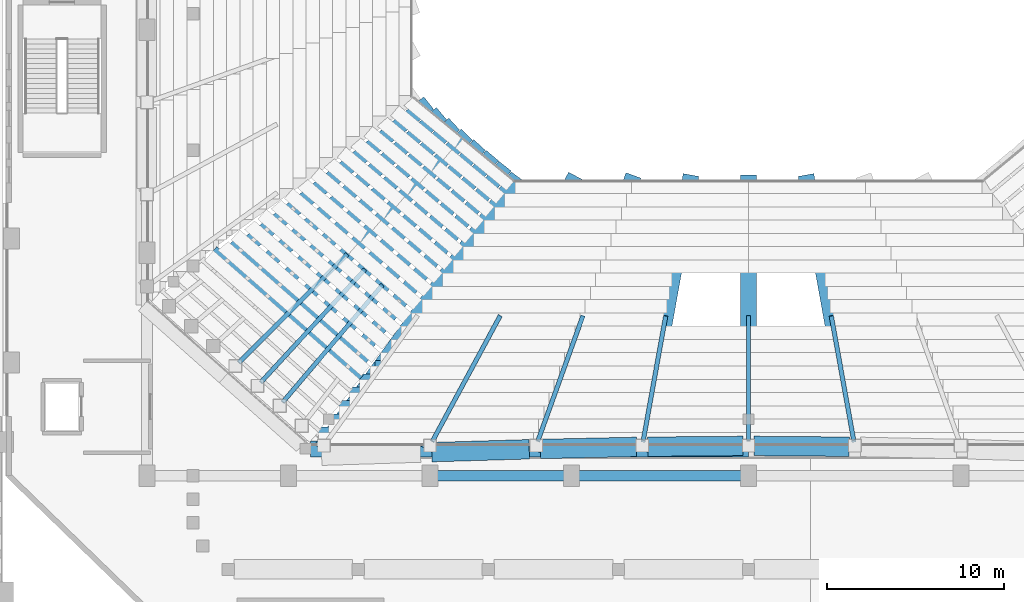
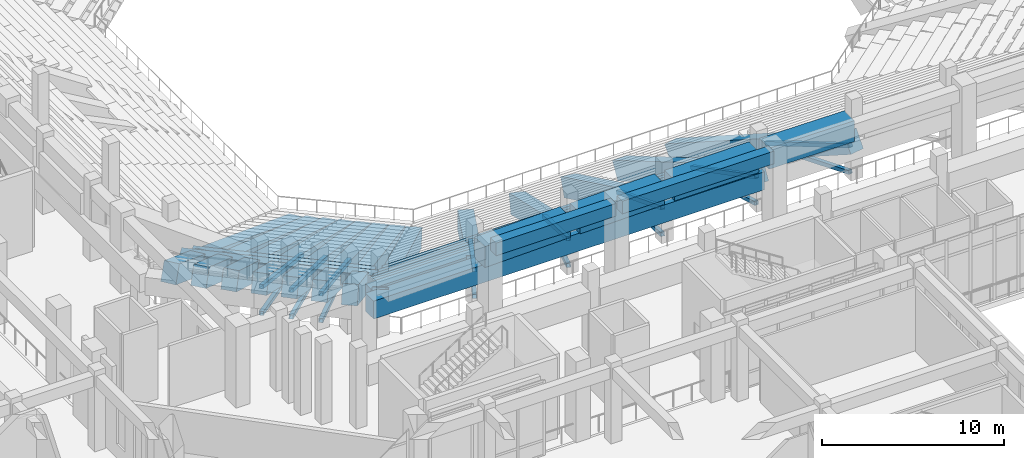
# One storey, part 31 of 159: 28 beams, 16 members.
"""IFC4 building model written with IfcOpenShell, lengths in metres."""

from ifc_helpers import new_model, si_unit, derived_unit, direction, frame, origin, origin_2d, place, context, subcontext, project, spatial, rectangle, hollow_rectangle, extrude, material, material_profile, profile_set, type_object, element, save


model = new_model("IFC4")

# Units and contexts
model_context = context("Model", 3, precision=1e-05, world=origin(), true_north=direction((0.0, 1.0)))
body_context = subcontext(model_context, "Body", "Model", "MODEL_VIEW")
ifc_project = project(units=[si_unit("LENGTHUNIT", "METRE"), si_unit("AREAUNIT", "SQUARE_METRE"), si_unit("VOLUMEUNIT", "CUBIC_METRE"), si_unit("PLANEANGLEUNIT", "RADIAN"), si_unit("MASSUNIT", "GRAM", prefix="KILO"), derived_unit("THERMALTRANSMITTANCEUNIT", [(si_unit("MASSUNIT", "GRAM", prefix="KILO"), 1), (si_unit("TIMEUNIT", "SECOND"), -3), (si_unit("THERMODYNAMICTEMPERATUREUNIT", "KELVIN"), -1)])], contexts=[model_context])

# Site, building, storey
site_placement = place(None, origin())
site = spatial("IfcSite", under=ifc_project, at=site_placement, CompositionType="ELEMENT")
building_placement = place(site_placement, origin())
building = spatial("IfcBuilding", under=site, at=building_placement, Name="Valcora Ridge Arena", CompositionType="ELEMENT")
storey_placement = place(building_placement, frame((0.0, 0.0, 6.0)))
storey = spatial("IfcBuildingStorey", under=building, at=storey_placement, Name="L01", CompositionType="ELEMENT", Elevation=6.0)

# Beams
ifc_material_1 = material(Name="Concrete C40/50", Category="concrete")
ifc_material_profile_1 = material_profile(ifc_material_1, rectangle(XDim=0.60009765625, YDim=0.85009765625, at=origin_2d()), Name="RC 600x850")
ifc_profile_set_1 = profile_set([ifc_material_profile_1], Name="Concrete C40/50")
beam_type_1 = type_object("IfcBeamType", Name="TY-BEAM-B-RC600-X", PredefinedType="BEAM", material=ifc_profile_set_1)
beam_1_placement = place(storey_placement, frame((36.889892578125, 38.800048828125, 0.135009765625), z_axis=(1.0, 0.0, 0.0), x_axis=(0.0, 1.0, 0.0)))
element("IfcBeam", 1, at=beam_1_placement, inside=storey, type_object=beam_type_1, Name="B-RC600-X BEM-R2-B-RC600-X-0157", PredefinedType="BEAM", context=body_context, shape_type="SweptSolid", body=[
    extrude(rectangle(XDim=0.60009765625, YDim=0.85009765625, at=origin_2d()), origin(), (0.0, 0.0, 1.0), 21.110107421875),
])
beam_2_placement = place(storey_placement, frame((28.71044921875, 45.725341796875, 0.135009765625), z_axis=(0.751952198768, -0.659217635359, 0.0), x_axis=(0.659217635359, 0.751952198768, 0.0)))
element("IfcBeam", 2, at=beam_2_placement, inside=storey, type_object=beam_type_1, Name="B-RC600-X BEM-R2-B-RC600-X-0168", PredefinedType="BEAM", context=body_context, shape_type="SweptSolid", body=[
    extrude(rectangle(XDim=0.60009765625, YDim=0.85009765625, at=origin_2d()), origin(), (0.0, 0.0, 1.0), 10.225341796875),
])
beam_3_placement = place(storey_placement, frame((36.02490234375, 38.050048828125, 0.574951171875), z_axis=(1.0, 0.0, 0.0), x_axis=(0.0, 1.0, 0.0)))
element("IfcBeam", 3, at=beam_3_placement, inside=storey, type_object=beam_type_1, Name="B-RC600-X BEM-R2-B-RC600-X-0169", PredefinedType="BEAM", context=body_context, shape_type="SweptSolid", body=[
    extrude(rectangle(XDim=0.60009765625, YDim=0.85009765625, at=origin_2d()), origin(), (0.0, 0.0, 1.0), 21.97509765625),
])
beam_4_placement = place(storey_placement, frame((27.75, 45.324951171875, 0.574951171875), z_axis=(0.751029040329, -0.660269172825, 0.0), x_axis=(0.660269172825, 0.751029040329, 0.0)))
element("IfcBeam", 4, at=beam_4_placement, inside=storey, type_object=beam_type_1, Name="B-RC600-X BEM-R2-B-RC600-X-0180", PredefinedType="BEAM", context=body_context, shape_type="SweptSolid", body=[
    extrude(rectangle(XDim=0.60009765625, YDim=0.85009765625, at=origin_2d()), origin(), (0.0, 0.0, 1.0), 11.01806640625),
])
beam_5_placement = place(storey_placement, frame((35.43994140625, 37.300048828125, 1.014892578125), z_axis=(1.0, 0.0, 0.0), x_axis=(0.0, 1.0, 0.0)))
element("IfcBeam", 5, at=beam_5_placement, inside=storey, type_object=beam_type_1, Name="B-RC600-X BEM-R2-B-RC600-X-0181", PredefinedType="BEAM", context=body_context, shape_type="SweptSolid", body=[
    extrude(rectangle(XDim=0.60009765625, YDim=0.85009765625, at=origin_2d()), origin(), (0.0, 0.0, 1.0), 22.56005859375),
])
beam_6_placement = place(storey_placement, frame((34.85498046875, 36.550048828125, 1.455078125), z_axis=(1.0, 0.0, 0.0), x_axis=(0.0, 1.0, 0.0)))
element("IfcBeam", 6, at=beam_6_placement, inside=storey, type_object=beam_type_1, Name="B-RC600-X BEM-R2-B-RC600-X-0193", PredefinedType="BEAM", context=body_context, shape_type="SweptSolid", body=[
    extrude(rectangle(XDim=0.60009765625, YDim=0.85009765625, at=origin_2d()), origin(), (0.0, 0.0, 1.0), 23.14501953125),
])
beam_7_placement = place(storey_placement, frame((34.550048828125, 35.800048828125, 1.89501953125), z_axis=(1.0, 0.0, 0.0), x_axis=(0.0, 1.0, 0.0)))
element("IfcBeam", 7, at=beam_7_placement, inside=storey, type_object=beam_type_1, Name="B-RC600-X BEM-R2-B-RC600-X-0205", PredefinedType="BEAM", context=body_context, shape_type="SweptSolid", body=[
    extrude(rectangle(XDim=0.60009765625, YDim=0.85009765625, at=origin_2d()), origin(), (0.0, 0.0, 1.0), 23.169921875),
])
beam_8_placement = place(storey_placement, frame((33.68505859375, 35.050048828125, 2.3349609375), z_axis=(1.0, 0.0, 0.0), x_axis=(0.0, 1.0, 0.0)))
element("IfcBeam", 8, at=beam_8_placement, inside=storey, type_object=beam_type_1, Name="B-RC600-X BEM-R2-B-RC600-X-0217", PredefinedType="BEAM", context=body_context, shape_type="SweptSolid", body=[
    extrude(rectangle(XDim=0.60009765625, YDim=0.85009765625, at=origin_2d()), origin(), (0.0, 0.0, 1.0), 24.31494140625),
])
ifc_material_profile_2 = material_profile(ifc_material_1, rectangle(XDim=0.60009765625, YDim=0.85009765625, at=origin_2d()), Name="RC 600x850")
ifc_profile_set_2 = profile_set([ifc_material_profile_2], Name="Concrete C40/50")
beam_type_2 = type_object("IfcBeamType", Name="TY-BEAM-EB-RC600", PredefinedType="BEAM", material=ifc_profile_set_2)
beam_9_placement = place(storey_placement, frame((40.199951171875, 32.60009765625, 4.614990234375), z_axis=(1.0, 0.0, 0.0), x_axis=(0.0, 1.0, 0.0)))
element("IfcBeam", 9, at=beam_9_placement, inside=storey, type_object=beam_type_2, Name="EB-RC600 BEM-EB-RC600-0019", PredefinedType="BEAM", context=body_context, shape_type="SweptSolid", body=[
    extrude(rectangle(XDim=0.60009765625, YDim=0.85009765625, at=origin_2d()), origin(), (0.0, 0.0, 1.0), 7.60009765625),
])
beam_10_placement = place(storey_placement, frame((48.199951171875, 32.60009765625, 4.614990234375), z_axis=(1.0, 0.0, 0.0), x_axis=(0.0, 1.0, 0.0)))
element("IfcBeam", 10, at=beam_10_placement, inside=storey, type_object=beam_type_2, Name="EB-RC600 BEM-EB-RC600-0020", PredefinedType="BEAM", context=body_context, shape_type="SweptSolid", body=[
    extrude(rectangle(XDim=0.60009765625, YDim=0.85009765625, at=origin_2d()), origin(), (0.0, 0.0, 1.0), 9.60009765625),
])
ifc_material_profile_3 = material_profile(ifc_material_1, rectangle(XDim=0.89990234375, YDim=1.199951171875, at=origin_2d()), Name="RC 900x1200")
ifc_profile_set_3 = profile_set([ifc_material_profile_3], Name="Concrete C40/50")
beam_type_3 = type_object("IfcBeamType", Name="TY-BEAM-RKR-LOW-1200", PredefinedType="USERDEFINED", material=ifc_profile_set_3)
beam_11_placement = place(storey_placement, frame((44.800048828125, 49.300048828125, -6.489990234375), z_axis=(-0.527565344936, -0.732726332999, 0.429868500536), x_axis=(0.811533088795, -0.584306465642, 0.0)))
element("IfcBeam", 11, at=beam_11_placement, inside=storey, type_object=beam_type_3, Name="RKR-LOW-1200 BEM-RK-RKR-LOW-1200-0001", ObjectType="RAKER", PredefinedType="USERDEFINED", context=body_context, shape_type="SweptSolid", body=[
    extrude(rectangle(XDim=0.89990234375, YDim=1.199951171875, at=origin_2d()), origin(), (0.0, 0.0, 1.0), 20.471435546875),
])
beam_12_placement = place(storey_placement, frame((48.10009765625, 49.300048828125, -6.489990234375), z_axis=(-0.422216696468, -0.781873344716, 0.458701574061), x_axis=(0.879903002625, -0.475153349953, 0.0)))
element("IfcBeam", 12, at=beam_12_placement, inside=storey, type_object=beam_type_3, Name="RKR-LOW-1200 BEM-RK-RKR-LOW-1200-0002", ObjectType="RAKER", PredefinedType="USERDEFINED", context=body_context, shape_type="SweptSolid", body=[
    extrude(rectangle(XDim=0.89990234375, YDim=1.199951171875, at=origin_2d()), origin(), (0.0, 0.0, 1.0), 19.184814453125),
])
beam_13_placement = place(storey_placement, frame((51.39990234375, 49.300048828125, -6.489990234375), z_axis=(-0.296536920199, -0.823728563931, 0.483256772248), x_axis=(0.940889364057, -0.338714045479, 0.0)))
element("IfcBeam", 13, at=beam_13_placement, inside=storey, type_object=beam_type_3, Name="RKR-LOW-1200 BEM-RK-RKR-LOW-1200-0003", ObjectType="RAKER", PredefinedType="USERDEFINED", context=body_context, shape_type="SweptSolid", body=[
    extrude(rectangle(XDim=0.89990234375, YDim=1.199951171875, at=origin_2d()), origin(), (0.0, 0.0, 1.0), 18.2099609375),
])
beam_14_placement = place(storey_placement, frame((54.699951171875, 49.300048828125, -6.489990234375), z_axis=(-0.15341359823, -0.852313181593, 0.500026507658), x_axis=(0.984183882541, -0.177149895134, 0.0)))
element("IfcBeam", 14, at=beam_14_placement, inside=storey, type_object=beam_type_3, Name="RKR-LOW-1200 BEM-RK-RKR-LOW-1200-0004", ObjectType="RAKER", PredefinedType="USERDEFINED", context=body_context, shape_type="SweptSolid", body=[
    extrude(rectangle(XDim=0.89990234375, YDim=1.199951171875, at=origin_2d()), origin(), (0.0, 0.0, 1.0), 17.59912109375),
])
beam_15_placement = place(storey_placement, frame((58.0, 49.300048828125, -6.489990234375), z_axis=(0.0, -0.862523680345, 0.506016700163), x_axis=(1.0, 0.0, 0.0)))
element("IfcBeam", 15, at=beam_15_placement, inside=storey, type_object=beam_type_3, Name="RKR-LOW-1200 BEM-RK-RKR-LOW-1200-0005", ObjectType="RAKER", PredefinedType="USERDEFINED", context=body_context, shape_type="SweptSolid", body=[
    extrude(rectangle(XDim=0.89990234375, YDim=1.199951171875, at=origin_2d()), origin(), (0.0, 0.0, 1.0), 17.390869140625),
])
beam_16_placement = place(storey_placement, frame((61.300048828125, 49.300048828125, -6.489990234375), z_axis=(0.15341359823, -0.852313181593, 0.500026507658), x_axis=(0.984183882541, 0.177149895134, 0.0)))
element("IfcBeam", 16, at=beam_16_placement, inside=storey, type_object=beam_type_3, Name="RKR-LOW-1200 BEM-RK-RKR-LOW-1200-0006", ObjectType="RAKER", PredefinedType="USERDEFINED", context=body_context, shape_type="SweptSolid", body=[
    extrude(rectangle(XDim=0.89990234375, YDim=1.199951171875, at=origin_2d()), origin(), (0.0, 0.0, 1.0), 17.59912109375),
])
beam_17_placement = place(storey_placement, frame((39.72509765625, 53.5, -6.489990234375), z_axis=(-0.710363056233, -0.555770131379, 0.431860960734), x_axis=(0.616193996107, -0.787594412856, 0.0)))
element("IfcBeam", 17, at=beam_17_placement, inside=storey, type_object=beam_type_3, Name="RKR-LOW-1200 BEM-RK-RKR-LOW-1200-0054", ObjectType="RAKER", PredefinedType="USERDEFINED", context=body_context, shape_type="SweptSolid", body=[
    extrude(rectangle(XDim=0.89990234375, YDim=1.199951171875, at=origin_2d()), origin(), (0.0, 0.0, 1.0), 20.376953125),
])
beam_18_placement = place(storey_placement, frame((40.449951171875, 52.89990234375, -6.489990234375), z_axis=(-0.686880565857, -0.583474019933, 0.433304923018), x_axis=(0.647407173148, -0.762144311896, 0.0)))
element("IfcBeam", 18, at=beam_18_placement, inside=storey, type_object=beam_type_3, Name="RKR-LOW-1200 BEM-RK-RKR-LOW-1200-0055", ObjectType="RAKER", PredefinedType="USERDEFINED", context=body_context, shape_type="SweptSolid", body=[
    extrude(rectangle(XDim=0.89990234375, YDim=1.199951171875, at=origin_2d()), origin(), (0.0, 0.0, 1.0), 20.30908203125),
])
beam_19_placement = place(storey_placement, frame((41.175048828125, 52.300048828125, -6.489990234375), z_axis=(-0.662359184273, -0.610552334693, 0.434172958175), x_axis=(0.677766785233, -0.73527694431, 0.0)))
element("IfcBeam", 19, at=beam_19_placement, inside=storey, type_object=beam_type_3, Name="RKR-LOW-1200 BEM-RK-RKR-LOW-1200-0056", ObjectType="RAKER", PredefinedType="USERDEFINED", context=body_context, shape_type="SweptSolid", body=[
    extrude(rectangle(XDim=0.89990234375, YDim=1.199951171875, at=origin_2d()), origin(), (0.0, 0.0, 1.0), 20.2685546875),
])
beam_20_placement = place(storey_placement, frame((41.89990234375, 51.699951171875, -6.489990234375), z_axis=(-0.636882105982, -0.636882105982, 0.434467911543), x_axis=(0.707106781187, -0.707106781187, 0.0)))
element("IfcBeam", 20, at=beam_20_placement, inside=storey, type_object=beam_type_3, Name="RKR-LOW-1200 BEM-RK-RKR-LOW-1200-0057", ObjectType="RAKER", PredefinedType="USERDEFINED", context=body_context, shape_type="SweptSolid", body=[
    extrude(rectangle(XDim=0.89990234375, YDim=1.199951171875, at=origin_2d()), origin(), (0.0, 0.0, 1.0), 20.2548828125),
])
beam_21_placement = place(storey_placement, frame((42.625, 51.10009765625, -6.489990234375), z_axis=(-0.610552334693, -0.662359184273, 0.434172958175), x_axis=(0.73527694431, -0.677766785233, 0.0)))
element("IfcBeam", 21, at=beam_21_placement, inside=storey, type_object=beam_type_3, Name="RKR-LOW-1200 BEM-RK-RKR-LOW-1200-0058", ObjectType="RAKER", PredefinedType="USERDEFINED", context=body_context, shape_type="SweptSolid", body=[
    extrude(rectangle(XDim=0.89990234375, YDim=1.199951171875, at=origin_2d()), origin(), (0.0, 0.0, 1.0), 20.2685546875),
])
beam_22_placement = place(storey_placement, frame((43.35009765625, 50.5, -6.489990234375), z_axis=(-0.583481948544, -0.686875748029, 0.433301883787), x_axis=(0.762137730499, -0.647414920859, 0.0)))
element("IfcBeam", 22, at=beam_22_placement, inside=storey, type_object=beam_type_3, Name="RKR-LOW-1200 BEM-RK-RKR-LOW-1200-0059", ObjectType="RAKER", PredefinedType="USERDEFINED", context=body_context, shape_type="SweptSolid", body=[
    extrude(rectangle(XDim=0.89990234375, YDim=1.199951171875, at=origin_2d()), origin(), (0.0, 0.0, 1.0), 20.309326171875),
])
beam_23_placement = place(storey_placement, frame((44.074951171875, 49.89990234375, -6.489990234375), z_axis=(-0.555774861545, -0.710357120878, 0.431864636307), x_axis=(0.787589368997, -0.61620044291, 0.0)))
element("IfcBeam", 23, at=beam_23_placement, inside=storey, type_object=beam_type_3, Name="RKR-LOW-1200 BEM-RK-RKR-LOW-1200-0060", ObjectType="RAKER", PredefinedType="USERDEFINED", context=body_context, shape_type="SweptSolid", body=[
    extrude(rectangle(XDim=0.89990234375, YDim=1.199951171875, at=origin_2d()), origin(), (0.0, 0.0, 1.0), 20.376953125),
])
ifc_material_2 = material(Name="Concrete C45/55", Category="concrete")
ifc_material_profile_4 = material_profile(ifc_material_2, rectangle(XDim=0.89990234375, YDim=1.199951171875, at=origin_2d()), Name="RC 900x1200")
ifc_profile_set_4 = profile_set([ifc_material_profile_4], Name="Concrete C45/55")
beam_type_4 = type_object("IfcBeamType", Name="TY-BEAM-RKR-RING-850", PredefinedType="USERDEFINED", material=ifc_profile_set_4)
beam_24_placement = place(storey_placement, frame((33.239501953125, 34.1201171875, 2.159912109375), z_axis=(1.0, 0.0, 0.0), x_axis=(0.0, 1.0, 0.0)))
element("IfcBeam", 24, at=beam_24_placement, inside=storey, type_object=beam_type_4, Name="RKR-RING-850 BEM-R2-RKR-RING-850-0001", ObjectType="RAKER", PredefinedType="USERDEFINED", context=body_context, shape_type="SweptSolid", body=[
    extrude(rectangle(XDim=0.89990234375, YDim=1.199951171875, at=origin_2d()), origin(), (0.0, 0.0, 1.0), 24.760498046875),
])
ifc_material_profile_5 = material_profile(ifc_material_2, rectangle(XDim=1.10009765625, YDim=1.39990234375, at=origin_2d()), Name="RC 1100x1400")
ifc_profile_set_5 = profile_set([ifc_material_profile_5], Name="Concrete C45/55")
beam_type_5 = type_object("IfcBeamType", Name="TY-BEAM-RKR-URING-1100", PredefinedType="USERDEFINED", material=ifc_profile_set_5)
beam_25_placement = place(storey_placement, frame((40.099853515625, 33.92919921875, 3.47509765625), z_axis=(0.9995560656, 0.029793820186, 0.0), x_axis=(-0.029793820186, 0.9995560656, 0.0)))
element("IfcBeam", 25, at=beam_25_placement, inside=storey, type_object=beam_type_5, Name="RKR-URING-1100 BEM-RU2-RKR-URING-1100-0005", ObjectType="RAKER", PredefinedType="USERDEFINED", context=body_context, shape_type="SweptSolid", body=[
    extrude(rectangle(XDim=1.10009765625, YDim=1.39990234375, at=origin_2d()), origin(), (0.0, 0.0, 1.0), 5.506591796875),
])
beam_26_placement = place(storey_placement, frame((46.243896484375, 34.109619140625, 3.47509765625), z_axis=(0.999759796799, 0.021916858926, 0.0), x_axis=(-0.021916858926, 0.999759796799, 0.0)))
element("IfcBeam", 26, at=beam_26_placement, inside=storey, type_object=beam_type_5, Name="RKR-URING-1100 BEM-RU2-RKR-URING-1100-0006", ObjectType="RAKER", PredefinedType="USERDEFINED", context=body_context, shape_type="SweptSolid", body=[
    extrude(rectangle(XDim=1.10009765625, YDim=1.39990234375, at=origin_2d()), origin(), (0.0, 0.0, 1.0), 5.4248046875),
])
for number, where, z_axis, x_axis, name in (
    (27, (52.3076171875, 34.238037109375, 3.47509765625), (0.999966545813, 0.008179685446, 0.0), (-0.008179685446, 0.999966545813, 0.0), "RKR-URING-1100 BEM-RU2-RKR-URING-1100-0007"),
    (28, (58.320068359375, 34.281982421875, 3.47509765625), (0.999966545813, -0.008179685446, 0.0), (0.008179685446, 0.999966545813, 0.0), "RKR-URING-1100 BEM-RU2-RKR-URING-1100-0008"),
):
    element("IfcBeam", number, at=place(storey_placement, frame(where, z_axis=z_axis, x_axis=x_axis)), inside=storey, type_object=beam_type_5, Name=name, ObjectType="RAKER", PredefinedType="USERDEFINED", context=body_context, shape_type="SweptSolid", body=[
        extrude(rectangle(XDim=1.10009765625, YDim=1.39990234375, at=origin_2d()), origin(), (0.0, 0.0, 1.0), 5.37255859375),
    ])

# Members
ifc_material_3 = material(Name="Steel ASTM A500 Grade C", Category="steel")
ifc_material_profile_6 = material_profile(ifc_material_3, hollow_rectangle(XDim=0.25, YDim=0.25, WallThickness=0.012451171875, at=origin_2d()), Name="HSS250X250X12")
ifc_profile_set_6 = profile_set([ifc_material_profile_6], Name="Steel ASTM A500 Grade C")
member_type_1 = type_object("IfcMemberType", Name="TY-MEMBER-RKRC-253", PredefinedType="CHORD", material=ifc_profile_set_6)
member_1_placement = place(storey_placement, frame((43.939208984375, 41.594970703125, -1.842529296875), z_axis=(-0.461353135167, -0.854357657717, 0.239220144161), x_axis=(0.879905397657, -0.475148914735, 0.0)))
element("IfcMember", 29, at=member_1_placement, inside=storey, type_object=member_type_1, Name="RKRC-253 MBR-RK-RKRC-253-0002", PredefinedType="CHORD", context=body_context, shape_type="SweptSolid", body=[
    extrude(hollow_rectangle(XDim=0.25, YDim=0.25, WallThickness=0.012451171875, at=origin_2d()), origin(), (0.0, 0.0, 1.0), 8.258544921875),
])
member_2_placement = place(storey_placement, frame((48.621337890625, 41.58154296875, -1.8388671875), z_axis=(-0.327528756284, -0.909847762124, 0.254758637862), x_axis=(0.940892829266, -0.338704419569, 0.0)))
element("IfcMember", 30, at=member_2_placement, inside=storey, type_object=member_type_1, Name="RKRC-253 MBR-RK-RKRC-253-0003", PredefinedType="CHORD", context=body_context, shape_type="SweptSolid", body=[
    extrude(hollow_rectangle(XDim=0.25, YDim=0.25, WallThickness=0.012451171875, at=origin_2d()), origin(), (0.0, 0.0, 1.0), 7.72314453125),
])
member_3_placement = place(storey_placement, frame((53.30908203125, 41.572265625, -1.836181640625), z_axis=(-0.170793762915, -0.948821177296, 0.265646125634), x_axis=(0.984182247724, -0.177158977377, 0.0)))
element("IfcMember", 31, at=member_3_placement, inside=storey, type_object=member_type_1, Name="RKRC-253 MBR-RK-RKRC-253-0004", PredefinedType="CHORD", context=body_context, shape_type="SweptSolid", body=[
    extrude(hollow_rectangle(XDim=0.25, YDim=0.25, WallThickness=0.012451171875, at=origin_2d()), origin(), (0.0, 0.0, 1.0), 7.384521484375),
])
member_4_placement = place(storey_placement, frame((58.0, 41.56884765625, -1.835205078125), z_axis=(0.0, -0.962966810451, 0.269619958404), x_axis=(1.0, 0.0, 0.0)))
element("IfcMember", 32, at=member_4_placement, inside=storey, type_object=member_type_1, Name="RKRC-253 MBR-RK-RKRC-253-0005", PredefinedType="CHORD", context=body_context, shape_type="SweptSolid", body=[
    extrude(hollow_rectangle(XDim=0.25, YDim=0.25, WallThickness=0.012451171875, at=origin_2d()), origin(), (0.0, 0.0, 1.0), 7.2685546875),
])
member_5_placement = place(storey_placement, frame((62.69091796875, 41.572265625, -1.836181640625), z_axis=(0.170793762915, -0.948821177296, 0.265646125634), x_axis=(0.984182247724, 0.177158977377, 0.0)))
element("IfcMember", 33, at=member_5_placement, inside=storey, type_object=member_type_1, Name="RKRC-253 MBR-RK-RKRC-253-0006", PredefinedType="CHORD", context=body_context, shape_type="SweptSolid", body=[
    extrude(hollow_rectangle(XDim=0.25, YDim=0.25, WallThickness=0.012451171875, at=origin_2d()), origin(), (0.0, 0.0, 1.0), 7.384521484375),
])
member_6_placement = place(storey_placement, frame((35.28466796875, 45.084716796875, -1.84619140625), z_axis=(-0.689080930795, -0.689080930795, 0.224354499911), x_axis=(0.707106781187, -0.707106781187, 0.0)))
element("IfcMember", 34, at=member_6_placement, inside=storey, type_object=member_type_1, Name="RKRC-253 MBR-RK-RKRC-253-0057", PredefinedType="CHORD", context=body_context, shape_type="SweptSolid", body=[
    extrude(hollow_rectangle(XDim=0.25, YDim=0.25, WallThickness=0.012451171875, at=origin_2d()), origin(), (0.0, 0.0, 1.0), 8.840576171875),
])
member_7_placement = place(storey_placement, frame((36.279052734375, 44.215576171875, -1.84619140625), z_axis=(-0.660521078651, -0.71656244847, 0.224165479278), x_axis=(0.735274375781, -0.677769571698, 0.0)))
element("IfcMember", 35, at=member_7_placement, inside=storey, type_object=member_type_1, Name="RKRC-253 MBR-RK-RKRC-253-0058", PredefinedType="CHORD", context=body_context, shape_type="SweptSolid", body=[
    extrude(hollow_rectangle(XDim=0.25, YDim=0.25, WallThickness=0.012451171875, at=origin_2d()), origin(), (0.0, 0.0, 1.0), 8.847900390625),
])
member_8_placement = place(storey_placement, frame((37.273681640625, 43.3466796875, -1.84619140625), z_axis=(-0.63102107054, -0.742829471348, 0.223644327072), x_axis=(0.762133689786, -0.647419677561, 0.0)))
element("IfcMember", 36, at=member_8_placement, inside=storey, type_object=member_type_1, Name="RKRC-253 MBR-RK-RKRC-253-0059", PredefinedType="CHORD", context=body_context, shape_type="SweptSolid", body=[
    extrude(hollow_rectangle(XDim=0.25, YDim=0.25, WallThickness=0.012451171875, at=origin_2d()), origin(), (0.0, 0.0, 1.0), 8.86962890625),
])
ifc_material_profile_7 = material_profile(ifc_material_3, hollow_rectangle(XDim=0.25, YDim=0.25, WallThickness=0.012451171875, at=origin_2d()), Name="HSS250X250X12")
ifc_profile_set_7 = profile_set([ifc_material_profile_7], Name="Steel ASTM A500 Grade C")
member_type_2 = type_object("IfcMemberType", Name="TY-MEMBER-RKRD-253", PredefinedType="BRACE", material=ifc_profile_set_7)
member_9_placement = place(storey_placement, frame((43.9462890625, 41.60791015625, -1.75), z_axis=(-0.432056369085, -0.800137069528, 0.416062451924), x_axis=(0.879913511774, -0.475133888285, 0.0)))
element("IfcMember", 37, at=member_9_placement, inside=storey, type_object=member_type_2, Name="RKRD-253 Raker Diagonal Brace", PredefinedType="BRACE", context=body_context, shape_type="SweptSolid", body=[
    extrude(hollow_rectangle(XDim=0.25, YDim=0.25, WallThickness=0.012451171875, at=origin_2d()), origin(), (0.0, 0.0, 1.0), 8.853515625),
])
member_10_placement = place(storey_placement, frame((48.626953125, 41.59716796875, -1.744384765625), z_axis=(-0.304251791003, -0.845160099491, 0.439471562107), x_axis=(0.940889485562, -0.338713707959, 0.0)))
element("IfcMember", 38, at=member_10_placement, inside=storey, type_object=member_type_2, Name="RKRD-253 Raker Diagonal Brace", PredefinedType="BRACE", context=body_context, shape_type="SweptSolid", body=[
    extrude(hollow_rectangle(XDim=0.25, YDim=0.25, WallThickness=0.012451171875, at=origin_2d()), origin(), (0.0, 0.0, 1.0), 8.35400390625),
])
member_11_placement = place(storey_placement, frame((53.312255859375, 41.589599609375, -1.74072265625), z_axis=(-0.157713363707, -0.876107755687, 0.45558939335), x_axis=(0.984180588171, -0.177168196547, 0.0)))
element("IfcMember", 39, at=member_11_placement, inside=storey, type_object=member_type_2, Name="RKRD-253 Raker Diagonal Brace", PredefinedType="BRACE", context=body_context, shape_type="SweptSolid", body=[
    extrude(hollow_rectangle(XDim=0.25, YDim=0.25, WallThickness=0.012451171875, at=origin_2d()), origin(), (0.0, 0.0, 1.0), 8.040283203125),
])
member_12_placement = place(storey_placement, frame((58.0, 41.587158203125, -1.7392578125), z_axis=(0.0, -0.887218312753, 0.461349829864), x_axis=(1.0, 0.0, 0.0)))
element("IfcMember", 40, at=member_12_placement, inside=storey, type_object=member_type_2, Name="RKRD-253 Raker Diagonal Brace", PredefinedType="BRACE", context=body_context, shape_type="SweptSolid", body=[
    extrude(hollow_rectangle(XDim=0.25, YDim=0.25, WallThickness=0.012451171875, at=origin_2d()), origin(), (0.0, 0.0, 1.0), 7.93359375),
])
member_13_placement = place(storey_placement, frame((62.687744140625, 41.589599609375, -1.74072265625), z_axis=(0.157713363707, -0.876107755687, 0.45558939335), x_axis=(0.984180588171, 0.177168196547, 0.0)))
element("IfcMember", 41, at=member_13_placement, inside=storey, type_object=member_type_2, Name="RKRD-253 Raker Diagonal Brace", PredefinedType="BRACE", context=body_context, shape_type="SweptSolid", body=[
    extrude(hollow_rectangle(XDim=0.25, YDim=0.25, WallThickness=0.012451171875, at=origin_2d()), origin(), (0.0, 0.0, 1.0), 8.040283203125),
])
member_14_placement = place(storey_placement, frame((35.2939453125, 45.093994140625, -1.755615234375), z_axis=(-0.650176136427, -0.650176136427, 0.39311828149), x_axis=(0.707106781187, -0.707106781187, 0.0)))
element("IfcMember", 42, at=member_14_placement, inside=storey, type_object=member_type_2, Name="RKRD-253 Raker Diagonal Brace", PredefinedType="BRACE", context=body_context, shape_type="SweptSolid", body=[
    extrude(hollow_rectangle(XDim=0.25, YDim=0.25, WallThickness=0.012451171875, at=origin_2d()), origin(), (0.0, 0.0, 1.0), 9.400634765625),
])
member_15_placement = place(storey_placement, frame((36.287841796875, 44.22509765625, -1.755615234375), z_axis=(-0.623275648441, -0.676166878101, 0.392843249935), x_axis=(0.735279330039, -0.677764197061, 0.0)))
element("IfcMember", 43, at=member_15_placement, inside=storey, type_object=member_type_2, Name="RKRD-253 Raker Diagonal Brace", PredefinedType="BRACE", context=body_context, shape_type="SweptSolid", body=[
    extrude(hollow_rectangle(XDim=0.25, YDim=0.25, WallThickness=0.012451171875, at=origin_2d()), origin(), (0.0, 0.0, 1.0), 9.4072265625),
])
member_16_placement = place(storey_placement, frame((37.281982421875, 43.356689453125, -1.755859375), z_axis=(-0.595587341236, -0.701135776144, 0.392025946042), x_axis=(0.762142078554, -0.647409802287, 0.0)))
element("IfcMember", 44, at=member_16_placement, inside=storey, type_object=member_type_2, Name="RKRD-253 Raker Diagonal Brace", PredefinedType="BRACE", context=body_context, shape_type="SweptSolid", body=[
    extrude(hollow_rectangle(XDim=0.25, YDim=0.25, WallThickness=0.012451171875, at=origin_2d()), origin(), (0.0, 0.0, 1.0), 9.427978515625),
])

save(model, "model.ifc")
